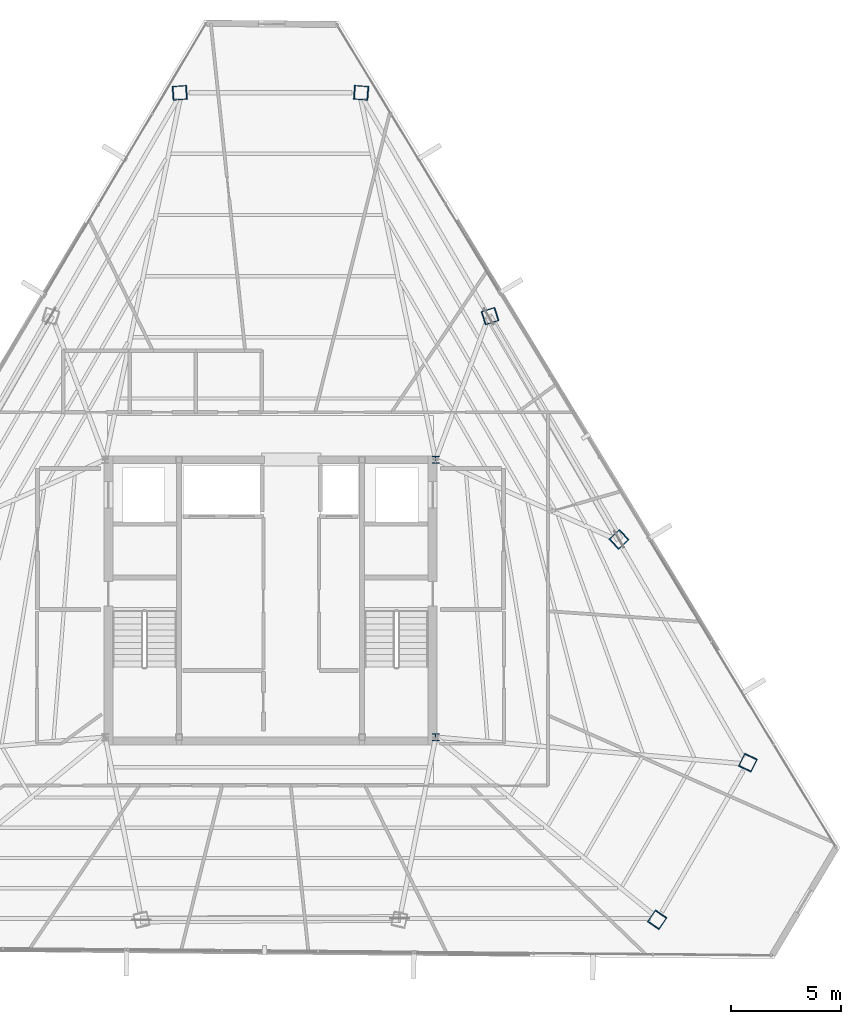
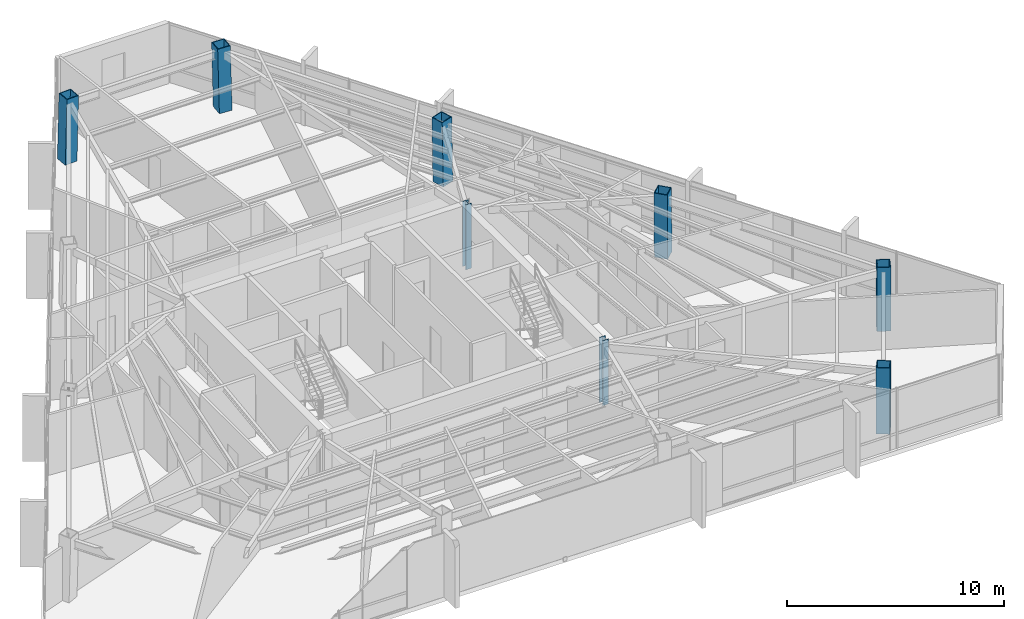
# One storey, part 2 of 42: 8 columns.
"""IFC4 building model written with IfcOpenShell, lengths in metres."""

from ifc_helpers import new_model, si_unit, direction, frame, origin, origin_2d, place, context, subcontext, project, spatial, hollow_rectangle, i_section, extrude, source, transform, mapped, material, material_profile, profile_set, type_object, type_shapes, element, save


model = new_model("IFC4")

# Units and contexts
model_context = context("Model", 3, precision=1e-05, world=origin(), true_north=direction((0.0, 1.0)))
body_context = subcontext(model_context, "Body", "Model", "MODEL_VIEW")
ifc_project = project(units=[si_unit("LENGTHUNIT", "METRE"), si_unit("AREAUNIT", "SQUARE_METRE"), si_unit("VOLUMEUNIT", "CUBIC_METRE"), si_unit("PLANEANGLEUNIT", "RADIAN"), si_unit("MASSUNIT", "GRAM", prefix="KILO")], contexts=[model_context])

# Site, building, storey
site_placement = place(None, origin())
site = spatial("IfcSite", under=ifc_project, at=site_placement, CompositionType="ELEMENT")
building_placement = place(site_placement, origin())
building = spatial("IfcBuilding", under=site, at=building_placement, Name="Caelisora Broadcast Tower", CompositionType="ELEMENT")
storey_placement = place(building_placement, frame((0.0, 0.0, 244.449951171875)))
storey = spatial("IfcBuildingStorey", under=building, at=storey_placement, Name="L64", CompositionType="ELEMENT", Elevation=244.449951171875)

# Columns
ifc_material_1 = material(Name="Steel Grade 350 (AS/NZS 3679.1)", Category="steel")
ifc_material_profile_1 = material_profile(ifc_material_1, i_section(OverallWidth=0.31103515625, OverallDepth=0.3271484375, WebThickness=0.015625, FlangeThickness=0.02490234375, at=origin_2d()), Name="Steel Grade 350 (AS/NZS 3679.1)")
ifc_profile_set_1 = profile_set([ifc_material_profile_1], Name="Steel Grade 350 (AS/NZS 3679.1)")
column_type_1 = type_object("IfcColumnType", Name="CC03", PredefinedType="COLUMN", material=ifc_profile_set_1)
shared_shape_1 = source(origin(), body_context, "Body", "SweptSolid", [
    extrude(i_section(OverallWidth=0.31103515625, OverallDepth=0.3271484375, WebThickness=0.015625, FlangeThickness=0.02490234375, at=origin_2d()), origin(), (0.0, 0.0, 1.0), 3.650146484375),
])
type_shapes(column_type_1, [shared_shape_1])
for number, where, z_axis, x_axis, name in (
    (1, (45.5, 17.39990234375, 0.0), (0.0, 0.0, 1.0), (1.0, 0.0, 0.0), "L64 column CC03"),
    (2, (45.5, 30.0, 0.0), (0.0, 0.0, 1.0), (1.0, 0.0, 0.0), "L64 column CC03"),
):
    element("IfcColumn", number, at=place(storey_placement, frame(where, z_axis=z_axis, x_axis=x_axis)), inside=storey, type_object=column_type_1, Name=name, PredefinedType="COLUMN", context=body_context, shape_type="MappedRepresentation", body=[
        mapped(shared_shape_1, transform((0.0, 0.0, 0.0), scale=1.0)),
    ])
ifc_material_2 = material(Name="Steel Grade 350 L15 (AS/NZS 3678)", Category="steel")
ifc_material_profile_2 = material_profile(ifc_material_2, hollow_rectangle(XDim=0.64990234375, YDim=0.64990234375, WallThickness=0.0400390625, at=origin_2d()), Name="Steel Grade 350 L15 (AS/NZS 3678)")
ifc_profile_set_2 = profile_set([ifc_material_profile_2], Name="Steel Grade 350 L15 (AS/NZS 3678)")
column_type_2 = type_object("IfcColumnType", Name="MC06", PredefinedType="COLUMN", material=ifc_profile_set_2)
shared_shape_2 = source(origin(), body_context, "Body", "SweptSolid", [
    extrude(hollow_rectangle(XDim=0.64990234375, YDim=0.64990234375, WallThickness=0.0400390625, at=origin_2d()), origin(), (0.0, 0.0, 1.0), 3.651123046875),
])
for number, where, z_axis, x_axis, name in (
    (3, (42.131591796875, 46.653564453125, 0.0), (-0.023937986077, 0.001805378838, 0.99971181519), (-0.075205412575, -0.997168063026, 0.0), "L64 column MC06"),
    (4, (33.868408203125, 46.653564453125, 0.0), (0.023937986077, 0.001805378838, 0.99971181519), (-0.075205412575, 0.997168063026, 0.0), "L64 column MC06"),
    (5, (55.552978515625, 9.09521484375, 0.0), (0.013440068782, 0.019792340097, 0.999713772949), (-0.827290216258, 0.561774775229, 0.0), "L64 column MC06"),
    (6, (59.684326171875, 16.251220703125, 0.0), (-0.010431083049, -0.021597691184, 0.999712324742), (0.900476348161, -0.434904985489, 0.0), "L64 column MC06"),
):
    element("IfcColumn", number, at=place(storey_placement, frame(where, z_axis=z_axis, x_axis=x_axis)), inside=storey, type_object=column_type_2, Name=name, PredefinedType="COLUMN", context=body_context, shape_type="MappedRepresentation", body=[
        mapped(shared_shape_2, transform((0.0, 0.0, 0.0), scale=1.0)),
    ])
shared_shape_3 = source(origin(), body_context, "Body", "SweptSolid", [
    extrude(hollow_rectangle(XDim=0.64990234375, YDim=0.64990234375, WallThickness=0.0400390625, at=origin_2d()), origin(), (0.0, 0.0, 1.0), 3.65087890625),
])
type_shapes(column_type_2, [shared_shape_2, shared_shape_3])
for number, where, z_axis, x_axis, name in (
    (7, (53.83349609375, 26.38525390625, 0.0), (-0.014912316331, -0.013775502979, 0.999793907933), (0.678553674548, -0.734550822447, 0.0), "L64 column MC06"),
    (8, (47.982421875, 36.51953125, 0.0), (-0.01939269685, -0.00601842316, 0.999793829693), (0.296399214872, -0.955064136811, 0.0), "L64 column MC06"),
):
    element("IfcColumn", number, at=place(storey_placement, frame(where, z_axis=z_axis, x_axis=x_axis)), inside=storey, type_object=column_type_2, Name=name, PredefinedType="COLUMN", context=body_context, shape_type="MappedRepresentation", body=[
        mapped(shared_shape_3, transform((0.0, 0.0, 0.0), scale=1.0)),
    ])

save(model, "model.ifc")
